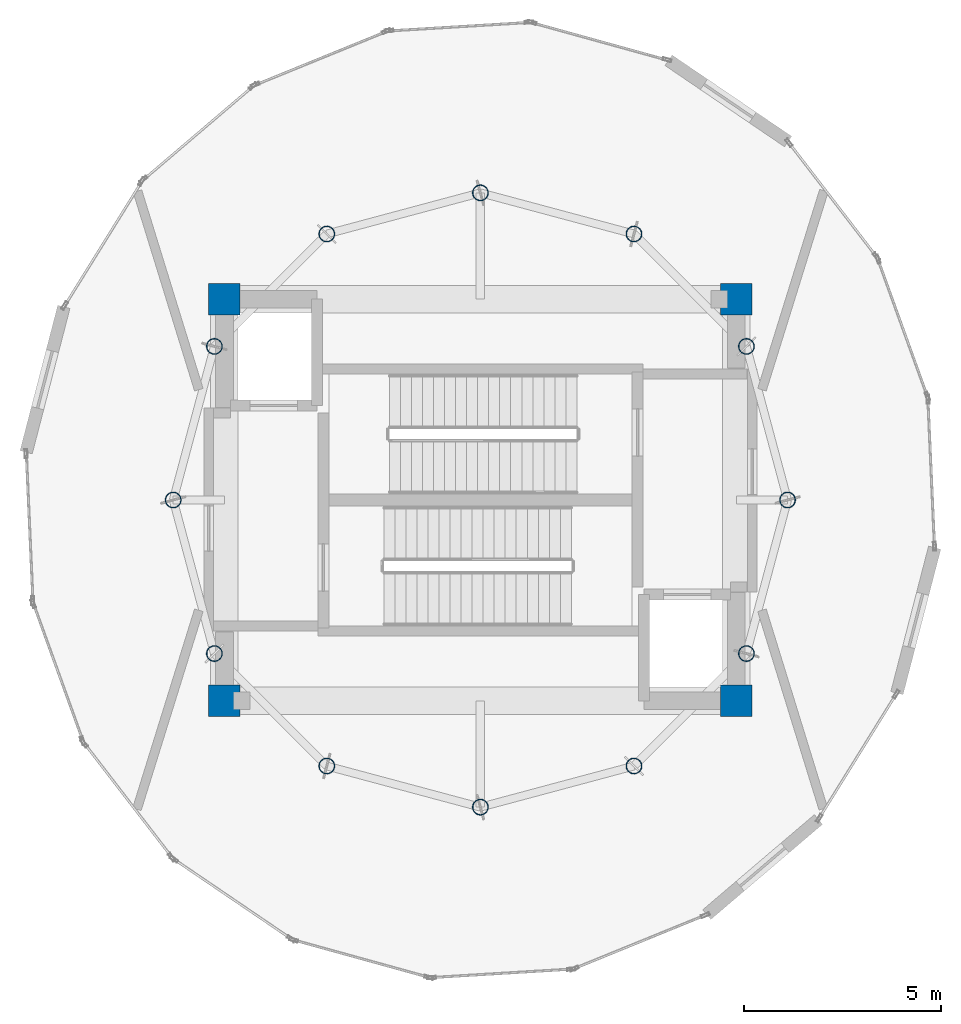
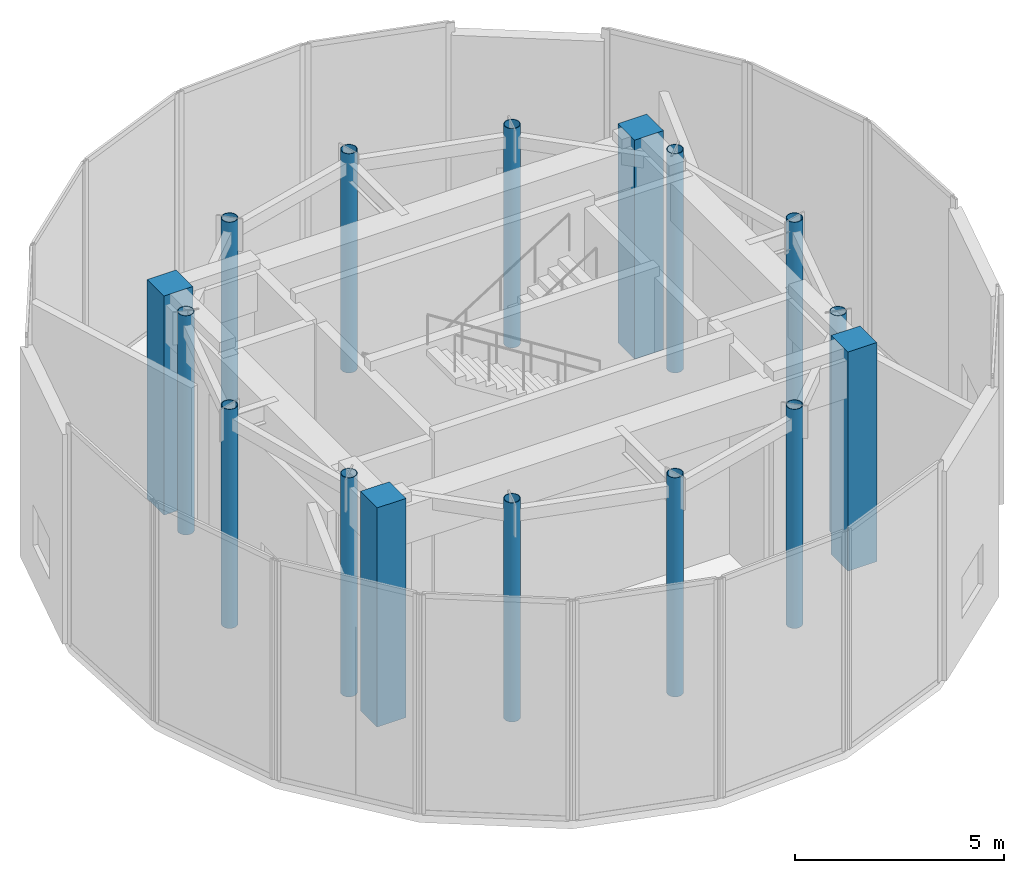
# One storey, part 1 of 9: 16 columns.
"""IFC4 building model written with IfcOpenShell, lengths in metres."""

from ifc_helpers import new_model, si_unit, direction, frame, origin, origin_2d, place, context, subcontext, project, spatial, rectangle, hollow_circle, extrude, material, material_profile, profile_set, type_object, element, save


model = new_model("IFC4")

# Units and contexts
model_context = context("Model", 3, precision=1e-05, world=origin(), true_north=direction((0.0, 1.0)))
body_context = subcontext(model_context, "Body", "Model", "MODEL_VIEW")
ifc_project = project(units=[si_unit("LENGTHUNIT", "METRE"), si_unit("AREAUNIT", "SQUARE_METRE"), si_unit("VOLUMEUNIT", "CUBIC_METRE"), si_unit("PLANEANGLEUNIT", "RADIAN"), si_unit("MASSUNIT", "GRAM", prefix="KILO")], contexts=[model_context])

# Site, building, storey
site_placement = place(None, origin())
site = spatial("IfcSite", under=ifc_project, at=site_placement, CompositionType="ELEMENT")
building_placement = place(site_placement, origin())
building = spatial("IfcBuilding", under=site, at=building_placement, Name="Solvirekh Grand Hotel", CompositionType="ELEMENT")
storey_placement = place(building_placement, frame((0.0, 0.0, 314.60009765625)))
storey = spatial("IfcBuildingStorey", under=building, at=storey_placement, Name="L80", CompositionType="ELEMENT", Elevation=314.60009765625)

# Columns
ifc_material_1 = material(Name="Concrete C50/60", Category="concrete")
ifc_material_profile_1 = material_profile(ifc_material_1, rectangle(XDim=0.800048828125, YDim=0.800048828125, at=origin_2d()), Name="RC 800X800")
ifc_profile_set_1 = profile_set([ifc_material_profile_1], Name="Concrete C50/60")
column_type_1 = type_object("IfcColumnType", Name="Col_Core_800", PredefinedType="COLUMN", material=ifc_profile_set_1)
for number, where, z_axis, x_axis, name in (
    (1, (-6.5, -5.10009765625, 0.0), (0.0, 0.0, 1.0), (1.0, 0.0, 0.0), "L80 core corner column CC1"),
    (2, (6.5, -5.10009765625, 0.0), (0.0, 0.0, 1.0), (1.0, 0.0, 0.0), "L80 core corner column CC2"),
    (3, (6.5, 5.10009765625, 0.0), (0.0, 0.0, 1.0), (1.0, 0.0, 0.0), "L80 core corner column CC3"),
    (4, (-6.5, 5.10009765625, 0.0), (0.0, 0.0, 1.0), (1.0, 0.0, 0.0), "L80 core corner column CC4"),
):
    element("IfcColumn", number, at=place(storey_placement, frame(where, z_axis=z_axis, x_axis=x_axis)), inside=storey, type_object=column_type_1, Name=name, PredefinedType="COLUMN", context=body_context, shape_type="SweptSolid", body=[
        extrude(rectangle(XDim=0.800048828125, YDim=0.800048828125, at=origin_2d()), origin(), (0.0, 0.0, 1.0), 6.39990234375),
    ])
ifc_material_2 = material(Name="Steel S355", Category="steel")
ifc_material_profile_2 = material_profile(ifc_material_2, hollow_circle(Radius=0.202880859375, WallThickness=0.01611328125, at=origin_2d()), Name="CHS 406X16")
ifc_profile_set_2 = profile_set([ifc_material_profile_2], Name="Steel S355")
column_type_2 = type_object("IfcColumnType", Name="Col_Crown_CHS406", PredefinedType="COLUMN", material=ifc_profile_set_2)
for number, where, z_axis, x_axis, name in (
    (5, (7.800048828125, 0.0, 0.0), (0.0, 0.0, 1.0), (1.0, 0.0, 0.0), "L80 perimeter column P01"),
    (6, (6.7548828125, 3.89990234375, 0.0), (0.0, 0.0, 1.0), (1.0, 0.0, 0.0), "L80 perimeter column P02"),
    (7, (3.89990234375, 6.7548828125, 0.0), (0.0, 0.0, 1.0), (1.0, 0.0, 0.0), "L80 perimeter column P03"),
    (8, (0.0, 7.800048828125, 0.0), (0.0, 0.0, 1.0), (1.0, 0.0, 0.0), "L80 perimeter column P04"),
    (9, (-3.89990234375, 6.7548828125, 0.0), (0.0, 0.0, 1.0), (1.0, 0.0, 0.0), "L80 perimeter column P05"),
    (10, (-6.7548828125, 3.89990234375, 0.0), (0.0, 0.0, 1.0), (1.0, 0.0, 0.0), "L80 perimeter column P06"),
    (11, (-7.800048828125, 0.0, 0.0), (0.0, 0.0, 1.0), (1.0, 0.0, 0.0), "L80 perimeter column P07"),
    (12, (-6.7548828125, -3.89990234375, 0.0), (0.0, 0.0, 1.0), (1.0, 0.0, 0.0), "L80 perimeter column P08"),
    (13, (-3.89990234375, -6.7548828125, 0.0), (0.0, 0.0, 1.0), (1.0, 0.0, 0.0), "L80 perimeter column P09"),
    (14, (0.0, -7.800048828125, 0.0), (0.0, 0.0, 1.0), (1.0, 0.0, 0.0), "L80 perimeter column P10"),
    (15, (3.89990234375, -6.7548828125, 0.0), (0.0, 0.0, 1.0), (1.0, 0.0, 0.0), "L80 perimeter column P11"),
    (16, (6.7548828125, -3.89990234375, 0.0), (0.0, 0.0, 1.0), (1.0, 0.0, 0.0), "L80 perimeter column P12"),
):
    element("IfcColumn", number, at=place(storey_placement, frame(where, z_axis=z_axis, x_axis=x_axis)), inside=storey, type_object=column_type_2, Name=name, PredefinedType="COLUMN", context=body_context, shape_type="SweptSolid", body=[
        extrude(hollow_circle(Radius=0.202880859375, WallThickness=0.01611328125, at=origin_2d()), origin(), (0.0, 0.0, 1.0), 6.39990234375),
    ])

save(model, "model.ifc")
